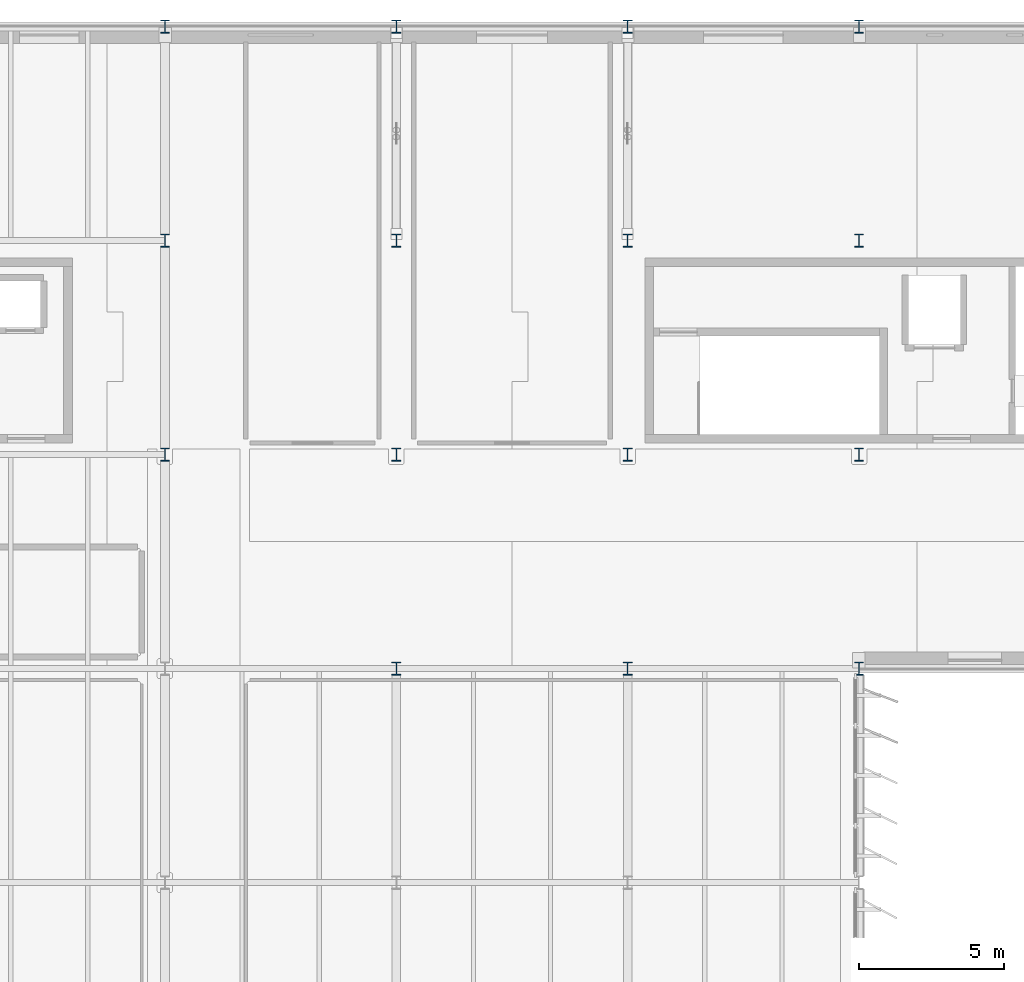
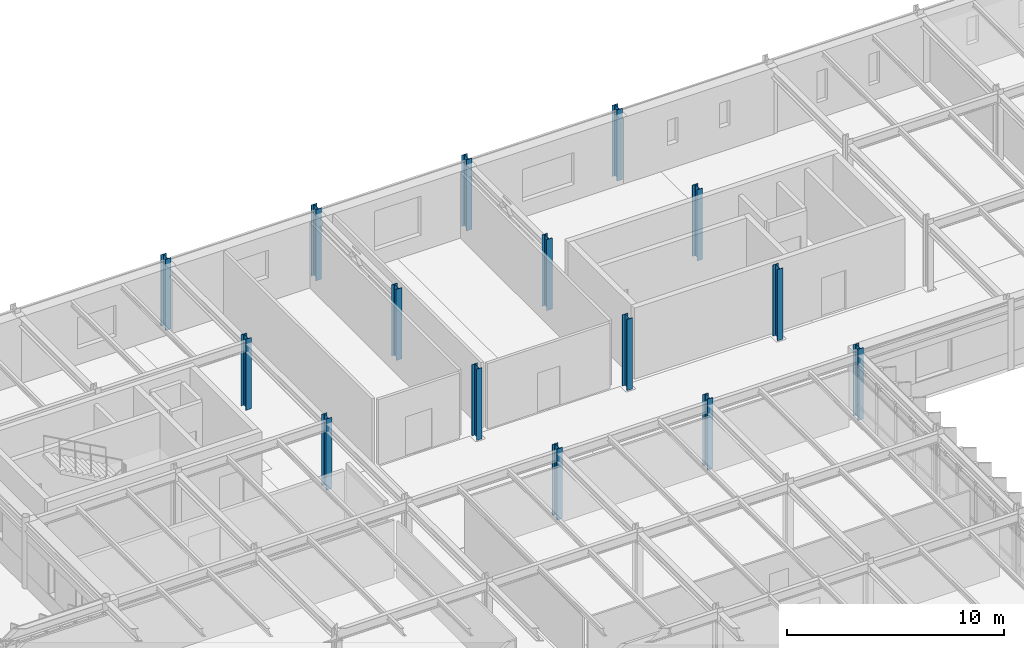
# One storey, part 7 of 56: 15 columns.
"""IFC4 building model written with IfcOpenShell, lengths in metres."""

from ifc_helpers import new_model, si_unit, direction, frame, origin, origin_2d, place, context, subcontext, project, spatial, i_section, extrude, material, material_profile, profile_set, type_object, element, save


model = new_model("IFC4")

# Units and contexts
model_context = context("Model", 3, precision=1e-05, world=origin(), true_north=direction((0.0, 1.0)))
body_context = subcontext(model_context, "Body", "Model", "MODEL_VIEW")
ifc_project = project(units=[si_unit("LENGTHUNIT", "METRE"), si_unit("AREAUNIT", "SQUARE_METRE"), si_unit("VOLUMEUNIT", "CUBIC_METRE"), si_unit("PLANEANGLEUNIT", "RADIAN"), si_unit("MASSUNIT", "GRAM", prefix="KILO")], contexts=[model_context])

# Site, building, storey
site_placement = place(None, origin())
site = spatial("IfcSite", under=ifc_project, at=site_placement, CompositionType="ELEMENT")
building_placement = place(site_placement, origin())
building = spatial("IfcBuilding", under=site, at=building_placement, Name="Valkorina Park Police Headquarters", CompositionType="ELEMENT")
storey_placement = place(building_placement, frame((0.0, 0.0, 14.10009765625)))
storey = spatial("IfcBuildingStorey", under=building, at=storey_placement, Name="L04", CompositionType="ELEMENT", Elevation=14.10009765625)

# Columns
ifc_material = material(Name="Steel S355", Category="steel")
ifc_material_profile_1 = material_profile(ifc_material, i_section(OverallWidth=0.300048828125, OverallDepth=0.449951171875, WebThickness=0.013916015625, FlangeThickness=0.02587890625, FilletRadius=0.027099609375, at=origin_2d()), Name="HEB 450")
ifc_profile_set_1 = profile_set([ifc_material_profile_1], Name="Steel S355")
column_type_1 = type_object("IfcColumnType", Name="COL-S355-HEB450-EXT", PredefinedType="COLUMN", material=ifc_profile_set_1)
for number, where, z_axis, x_axis, name in (
    (1, (96.800048828125, 81.39990234375, 0.0), (0.0, 0.0, 1.0), (1.0, 0.0, 0.0), "L04 Column 0906"),
    (2, (104.800048828125, 81.39990234375, 0.0), (0.0, 0.0, 1.0), (1.0, 0.0, 0.0), "L04 Column 0913"),
    (3, (112.800048828125, 81.39990234375, 0.0), (0.0, 0.0, 1.0), (1.0, 0.0, 0.0), "L04 Column 0920"),
    (4, (120.800048828125, 59.199951171875, 0.0), (0.0, 0.0, 1.0), (1.0, 0.0, 0.0), "L04 Column 0924"),
    (5, (120.800048828125, 81.39990234375, 0.0), (0.0, 0.0, 1.0), (1.0, 0.0, 0.0), "L04 Column 0927"),
):
    element("IfcColumn", number, at=place(storey_placement, frame(where, z_axis=z_axis, x_axis=x_axis)), inside=storey, type_object=column_type_1, Name=name, PredefinedType="COLUMN", context=body_context, shape_type="SweptSolid", body=[
        extrude(i_section(OverallWidth=0.300048828125, OverallDepth=0.449951171875, WebThickness=0.013916015625, FlangeThickness=0.02587890625, FilletRadius=0.027099609375, at=origin_2d()), origin(), (0.0, 0.0, 1.0), 4.0),
    ])
ifc_material_profile_2 = material_profile(ifc_material, i_section(OverallWidth=0.300048828125, OverallDepth=0.449951171875, WebThickness=0.013916015625, FlangeThickness=0.02587890625, FilletRadius=0.027099609375, at=origin_2d()), Name="HEB 450")
ifc_profile_set_2 = profile_set([ifc_material_profile_2], Name="Steel S355")
column_type_2 = type_object("IfcColumnType", Name="COL-S355-HEB450-INT", PredefinedType="COLUMN", material=ifc_profile_set_2)
for number, where, z_axis, x_axis, name in (
    (6, (96.800048828125, 66.60009765625, 0.0), (0.0, 0.0, 1.0), (1.0, 0.0, 0.0), "L04 Column 0904"),
    (7, (96.800048828125, 74.0, 0.0), (0.0, 0.0, 1.0), (1.0, 0.0, 0.0), "L04 Column 0905"),
    (8, (104.800048828125, 59.199951171875, 0.0), (0.0, 0.0, 1.0), (1.0, 0.0, 0.0), "L04 Column 0910"),
    (9, (104.800048828125, 66.60009765625, 0.0), (0.0, 0.0, 1.0), (1.0, 0.0, 0.0), "L04 Column 0911"),
    (10, (104.800048828125, 74.0, 0.0), (0.0, 0.0, 1.0), (1.0, 0.0, 0.0), "L04 Column 0912"),
    (11, (112.800048828125, 59.199951171875, 0.0), (0.0, 0.0, 1.0), (1.0, 0.0, 0.0), "L04 Column 0917"),
    (12, (112.800048828125, 66.60009765625, 0.0), (0.0, 0.0, 1.0), (1.0, 0.0, 0.0), "L04 Column 0918"),
    (13, (112.800048828125, 74.0, 0.0), (0.0, 0.0, 1.0), (1.0, 0.0, 0.0), "L04 Column 0919"),
    (14, (120.800048828125, 66.60009765625, 0.0), (0.0, 0.0, 1.0), (1.0, 0.0, 0.0), "L04 Column 0925"),
    (15, (120.800048828125, 74.0, 0.0), (0.0, 0.0, 1.0), (1.0, 0.0, 0.0), "L04 Column 0926"),
):
    element("IfcColumn", number, at=place(storey_placement, frame(where, z_axis=z_axis, x_axis=x_axis)), inside=storey, type_object=column_type_2, Name=name, PredefinedType="COLUMN", context=body_context, shape_type="SweptSolid", body=[
        extrude(i_section(OverallWidth=0.300048828125, OverallDepth=0.449951171875, WebThickness=0.013916015625, FlangeThickness=0.02587890625, FilletRadius=0.027099609375, at=origin_2d()), origin(), (0.0, 0.0, 1.0), 4.0),
    ])

save(model, "model.ifc")
